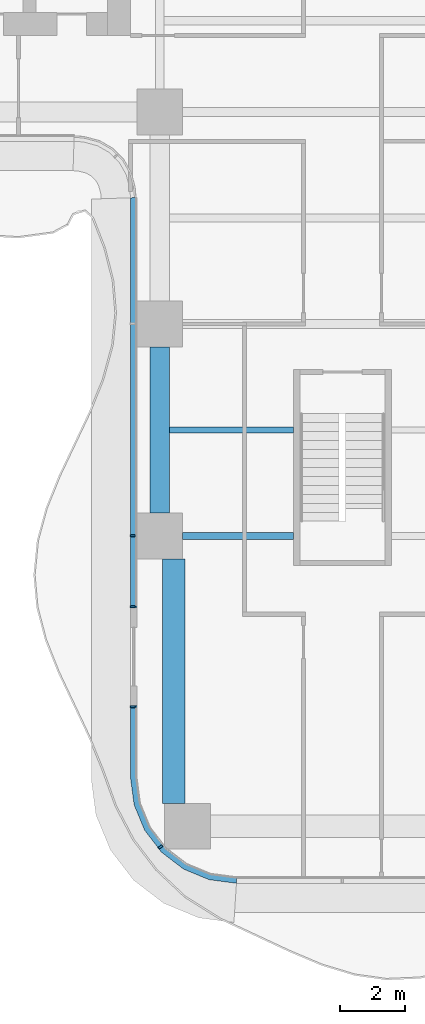
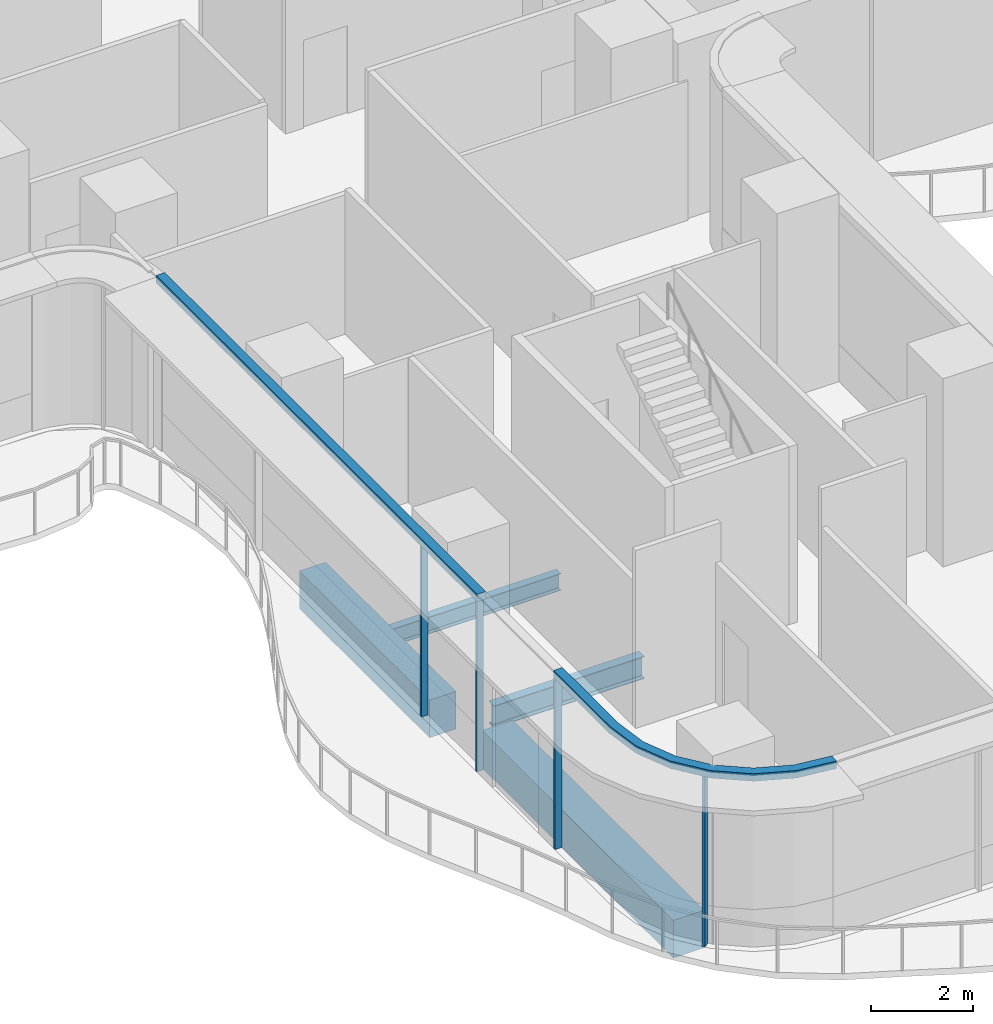
# One storey, part 2 of 22: 6 members, 4 beams, 2 elements without a shape of their own.
"""IFC4 building model written with IfcOpenShell, lengths in metres."""

from ifc_helpers import new_model, si_unit, direction, frame, origin, origin_2d, place, context, subcontext, project, spatial, polyline, rectangle, i_section, outline, extrude, source, transform, mapped, material, layer, layer_set, material_profile, profile_set, type_object, element, aggregate, save


model = new_model("IFC4")

# Units and contexts
model_context = context("Model", 3, precision=1e-05, world=origin(), true_north=direction((0.0, 1.0)))
body_context = subcontext(model_context, "Body", "Model", "MODEL_VIEW")
ifc_project = project(units=[si_unit("LENGTHUNIT", "METRE"), si_unit("AREAUNIT", "SQUARE_METRE"), si_unit("VOLUMEUNIT", "CUBIC_METRE"), si_unit("PLANEANGLEUNIT", "RADIAN"), si_unit("MASSUNIT", "GRAM", prefix="KILO")], contexts=[model_context])

# Site, building, storey
site_placement = place(None, origin())
site = spatial("IfcSite", under=ifc_project, at=site_placement, CompositionType="ELEMENT")
building_placement = place(site_placement, origin())
building = spatial("IfcBuilding", under=site, at=building_placement, Name="Trellis Farm Tower", CompositionType="ELEMENT")
storey_placement = place(building_placement, frame((0.0, 0.0, 61.0)))
storey = spatial("IfcBuildingStorey", under=building, at=storey_placement, Name="L12", CompositionType="ELEMENT", Elevation=61.0)

# Beams
ifc_material_1 = material(Name="Steel S355", Category="steel")
ifc_material_profile_1 = material_profile(ifc_material_1, i_section(OverallWidth=0.209228515625, OverallDepth=0.533203125, WebThickness=0.010009765625, FlangeThickness=0.015625, FilletRadius=0.0126953125, at=origin_2d()), Name="UB 533x210x92")
ifc_profile_set_1 = profile_set([ifc_material_profile_1], Name="Steel S355")
beam_type_1 = type_object("IfcBeamType", Name="UB 533x210x92", PredefinedType="BEAM", material=ifc_profile_set_1)
shared_shape_1 = source(origin(), body_context, "Body", "SweptSolid", [
    extrude(i_section(OverallWidth=0.209228515625, OverallDepth=0.533203125, WebThickness=0.010009765625, FlangeThickness=0.015625, FilletRadius=0.0126953125, at=origin_2d()), origin(), (0.0, 0.0, 1.0), 3.39990234375),
])
beam_1_placement = place(storey_placement, frame((-4.89990234375, -18.60009765625, -0.5166015625), z_axis=(1.0, 0.0, 0.0), x_axis=(0.0, 1.0, 0.0)))
element("IfcBeam", 1, at=beam_1_placement, inside=storey, type_object=beam_type_1, Name="Girder", PredefinedType="BEAM", context=body_context, shape_type="MappedRepresentation", body=[
    mapped(shared_shape_1, transform((0.0, 0.0, 0.0))),
])
ifc_material_2 = material(Name="Concrete C60/75", Category="concrete")
ifc_material_profile_2 = material_profile(ifc_material_2, rectangle(XDim=0.60009765625, YDim=0.89990234375, at=origin_2d()), Name="RC spandrel beam 600x900 C60/75")
ifc_profile_set_2 = profile_set([ifc_material_profile_2], Name="Concrete C60/75")
beam_type_2 = type_object("IfcBeamType", Name="RC spandrel beam 600x900 C60/75", PredefinedType="SPANDREL", material=ifc_profile_set_2)
shared_shape_2 = source(origin(), body_context, "Body", "SweptSolid", [
    extrude(rectangle(XDim=0.60009765625, YDim=0.89990234375, at=origin_2d()), origin(), (0.0, 0.0, 1.0), 5.099853515625),
])
beam_2_placement = place(storey_placement, frame((-5.60009765625, -17.89990234375, -0.699951171875), z_axis=(0.0, 1.0, 0.0), x_axis=(-1.0, 0.0, 0.0)))
element("IfcBeam", 2, at=beam_2_placement, inside=storey, type_object=beam_type_2, Name="Girder", PredefinedType="SPANDREL", context=body_context, shape_type="MappedRepresentation", body=[
    mapped(shared_shape_2, transform((0.0, 0.0, 0.0))),
])
ifc_material_profile_3 = material_profile(ifc_material_2, rectangle(XDim=0.699951171875, YDim=0.89990234375, at=origin_2d()), Name="RC spandrel beam 700x900 C60/75")
ifc_profile_set_3 = profile_set([ifc_material_profile_3], Name="Concrete C60/75")
beam_type_3 = type_object("IfcBeamType", Name="RC spandrel beam 700x900 C60/75", PredefinedType="SPANDREL", material=ifc_profile_set_3)
shared_shape_3 = source(origin(), body_context, "Body", "SweptSolid", [
    extrude(rectangle(XDim=0.699951171875, YDim=0.89990234375, at=origin_2d()), origin(), (0.0, 0.0, 1.0), 7.5),
])
beam_3_placement = place(storey_placement, frame((-5.175048828125, -26.800048828125, -0.699951171875), z_axis=(0.0, 1.0, 0.0), x_axis=(-1.0, 0.0, 0.0)))
element("IfcBeam", 3, at=beam_3_placement, inside=storey, type_object=beam_type_3, Name="Girder", PredefinedType="SPANDREL", context=body_context, shape_type="MappedRepresentation", body=[
    mapped(shared_shape_3, transform((0.0, 0.0, 0.0))),
])
ifc_material_profile_4 = material_profile(ifc_material_1, i_section(OverallWidth=0.177978515625, OverallDepth=0.406494140625, WebThickness=0.0078125, FlangeThickness=0.0126953125, FilletRadius=0.01025390625, at=origin_2d()), Name="UB 406x178x60")
ifc_profile_set_4 = profile_set([ifc_material_profile_4], Name="Steel S355")
beam_type_4 = type_object("IfcBeamType", Name="UB 406x178x60 joist", PredefinedType="JOIST", material=ifc_profile_set_4)
shared_shape_4 = source(origin(), body_context, "Body", "SweptSolid", [
    extrude(i_section(OverallWidth=0.177978515625, OverallDepth=0.406494140625, WebThickness=0.0078125, FlangeThickness=0.0126953125, FilletRadius=0.01025390625, at=origin_2d()), origin(), (0.0, 0.0, 1.0), 3.800048828125),
])
beam_4_placement = place(storey_placement, frame((-5.300048828125, -15.35009765625, -0.453125), z_axis=(1.0, 0.0, 0.0), x_axis=(0.0, 1.0, 0.0)))
element("IfcBeam", 4, at=beam_4_placement, inside=storey, type_object=beam_type_4, Name="Floor beam", PredefinedType="JOIST", context=body_context, shape_type="MappedRepresentation", body=[
    mapped(shared_shape_4, transform((0.0, 0.0, 0.0))),
])

# Curtain wall, members
ifc_material_3 = material(Name="Aluminium and glass curtain wall", Category="aluminium")
ifc_layer_1 = layer(ifc_material_3, 0.18994140625)
ifc_layer_set_1 = layer_set([ifc_layer_1], Name="RIBBON CURTAIN WALL CW1")
curtain_wall_type = type_object("IfcCurtainWallType", Name="RIBBON CURTAIN WALL CW1", PredefinedType="NOTDEFINED", material=ifc_layer_set_1)
placement_1 = place(storey_placement, origin())
curtain_wall_1 = element("IfcCurtainWall", 5, at=placement_1, inside=storey, type_object=curtain_wall_type, Name="CW1 002", PredefinedType="NOTDEFINED")
ifc_material_4 = material(Name="Aluminium extrusion 6063-T6", Category="aluminium")
ifc_material_profile_5 = material_profile(ifc_material_4, rectangle(XDim=0.06005859375, YDim=0.14990234375, at=origin_2d()), Name="MULLION 60x150")
ifc_profile_set_5 = profile_set([ifc_material_profile_5], Name="Aluminium extrusion 6063-T6")
member_type_1 = type_object("IfcMemberType", Name="CW1 MULLION 60x150", PredefinedType="MULLION", material=ifc_profile_set_5)
shared_shape_5 = source(origin(), body_context, "Body", "SweptSolid", [
    extrude(rectangle(XDim=0.06005859375, YDim=0.14990234375, at=origin_2d()), origin(), (0.0, 0.0, 1.0), 4.070068359375),
])
member_1_placement = place(storey_placement, frame((-6.425048828125, -18.60009765625, 0.0), z_axis=(0.0, 0.0, 1.0), x_axis=(0.0, -1.0, 0.0)))
member_1 = element("IfcMember", 6, at=member_1_placement, type_object=member_type_1, Name="MU1 002-02", PredefinedType="MULLION", context=body_context, shape_type="MappedRepresentation", body=[
    mapped(shared_shape_5, transform((0.0, 0.0, 0.0))),
])
member_2_placement = place(storey_placement, frame((-6.425048828125, -20.77001953125, 0.0), z_axis=(0.0, 0.0, 1.0), x_axis=(0.0, -1.0, 0.0)))
member_2 = element("IfcMember", 7, at=member_2_placement, type_object=member_type_1, Name="MU1 002-03", PredefinedType="MULLION", context=body_context, shape_type="MappedRepresentation", body=[
    mapped(shared_shape_5, transform((0.0, 0.0, 0.0))),
])

curtain_wall_2 = element("IfcCurtainWall", 8, at=placement_1, inside=storey, type_object=curtain_wall_type, Name="CW1 003", PredefinedType="NOTDEFINED")
member_3_placement = place(storey_placement, frame((-6.425048828125, -23.830078125, 0.0), z_axis=(0.0, 0.0, 1.0), x_axis=(0.0, -1.0, 0.0)))
member_3 = element("IfcMember", 9, at=member_3_placement, type_object=member_type_1, Name="MU1 003-01", PredefinedType="MULLION", context=body_context, shape_type="MappedRepresentation", body=[
    mapped(shared_shape_5, transform((0.0, 0.0, 0.0))),
])
member_4_placement = place(storey_placement, frame((-5.578369140625, -28.135498046875, 0.0), z_axis=(0.0, 0.0, 1.0), x_axis=(0.608761429009, -0.793353340291, 0.0)))
member_4 = element("IfcMember", 10, at=member_4_placement, type_object=member_type_1, Name="MU1 003-02", PredefinedType="MULLION", context=body_context, shape_type="MappedRepresentation", body=[
    mapped(shared_shape_5, transform((0.0, 0.0, 0.0))),
])

# Member
ifc_layer_2 = layer(ifc_material_4, 0.199951171875)
ifc_layer_set_2 = layer_set([ifc_layer_2], Name="Aluminium extrusion 6063-T6")
member_type_2 = type_object("IfcMemberType", Name="CW1 TRANSOM 200x180", PredefinedType="USERDEFINED", material=ifc_layer_set_2)
shared_shape_6 = source(origin(), body_context, "Body", "SweptSolid", [
    extrude(outline(polyline([(-6.5, -8.2314453125), (-6.5, -20.800048828125), (-6.300048828125, -20.800048828125), (-6.300048828125, -8.224853515625), (-6.5, -8.2314453125)])), origin(), (0.0, 0.0, 1.0), 0.179931640625),
])
placement_2 = place(storey_placement, frame((0.0, 0.0, 4.070068359375)))
member_5 = element("IfcMember", 11, at=placement_2, type_object=member_type_2, Name="TR1 002", ObjectType="TRANSOM", PredefinedType="USERDEFINED", context=body_context, shape_type="MappedRepresentation", body=[
    mapped(shared_shape_6, transform((0.0, 0.0, 0.0))),
])

aggregate(curtain_wall_1, [member_1, member_2, member_5])

shared_shape_7 = source(origin(), body_context, "Body", "SweptSolid", [
    extrude(outline(polyline([(-6.5, -23.800048828125), (-6.5, -26.0), (-6.38916015625, -26.841064453125), (-6.064697265625, -27.625), (-5.548095703125, -28.298095703125), (-4.875, -28.814697265625), (-4.091064453125, -29.13916015625), (-3.25, -29.25), (-3.23681640625, -29.050048828125), (-4.0390625, -28.9443359375), (-4.774169921875, -28.639892578125), (-5.405517578125, -28.155517578125), (-5.889892578125, -27.524169921875), (-6.1943359375, -26.7890625), (-6.300048828125, -25.98681640625), (-6.300048828125, -23.800048828125), (-6.5, -23.800048828125)])), origin(), (0.0, 0.0, 1.0), 0.179931640625),
])
member_6 = element("IfcMember", 12, at=placement_2, type_object=member_type_2, Name="TR1 003", ObjectType="TRANSOM", PredefinedType="USERDEFINED", context=body_context, shape_type="MappedRepresentation", body=[
    mapped(shared_shape_7, transform((0.0, 0.0, 0.0))),
])

aggregate(curtain_wall_2, [member_3, member_4, member_6])

save(model, "model.ifc")
